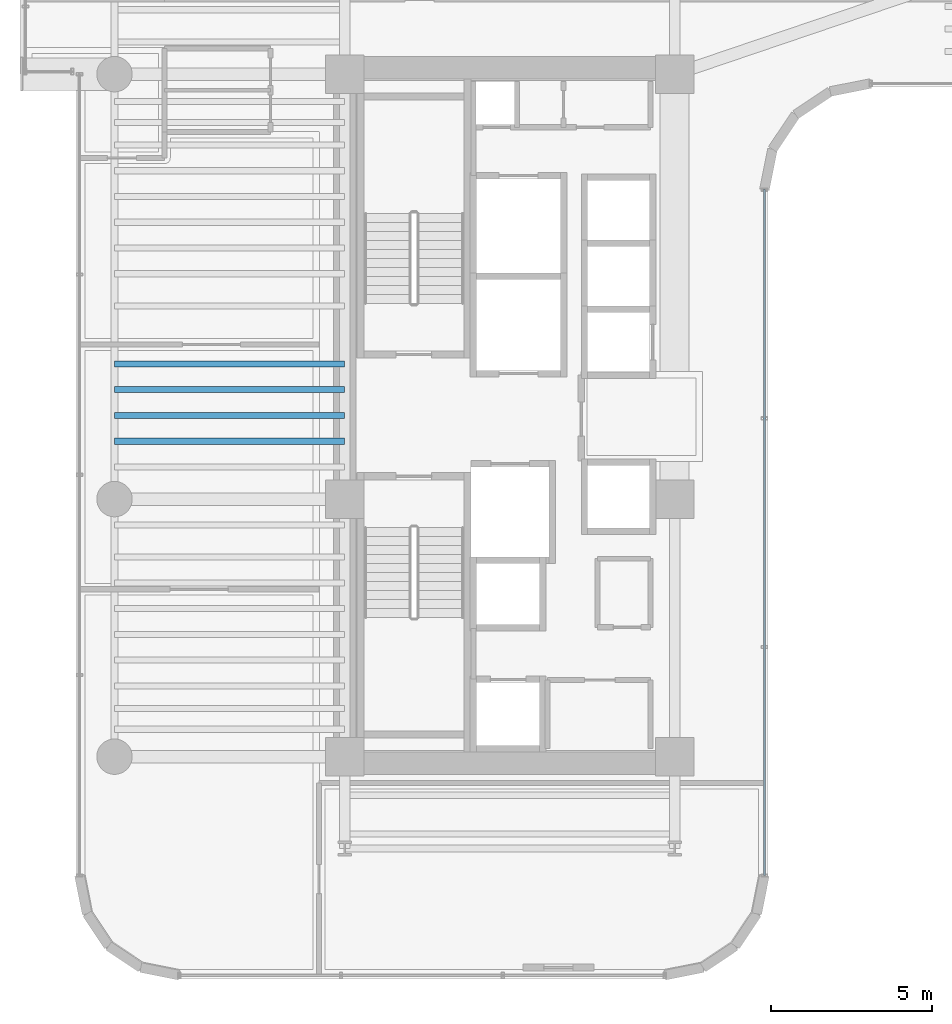
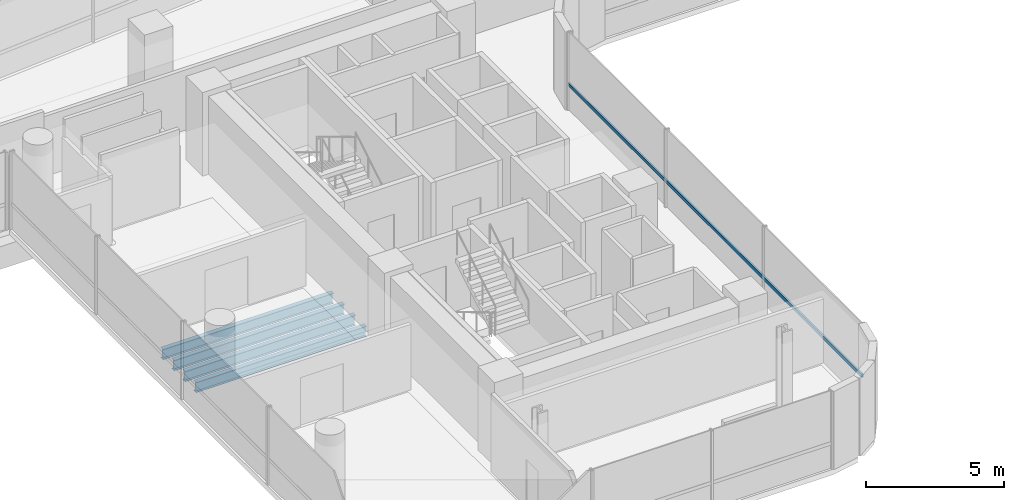
# One storey, part 7 of 34: 4 beams, 1 member, 1 element without a shape of its own.
"""IFC4 building model written with IfcOpenShell, lengths in metres."""

from ifc_helpers import new_model, si_unit, direction, frame, origin, origin_2d, place, context, subcontext, project, spatial, hollow_rectangle, i_section, extrude, source, transform, mapped, material, material_profile, profile_set, type_object, element, aggregate, save


model = new_model("IFC4")

# Units and contexts
model_context = context("Model", 3, precision=1e-05, world=origin(), true_north=direction((0.0, 1.0)))
body_context = subcontext(model_context, "Body", "Model", "MODEL_VIEW")
ifc_project = project(units=[si_unit("LENGTHUNIT", "METRE"), si_unit("AREAUNIT", "SQUARE_METRE"), si_unit("VOLUMEUNIT", "CUBIC_METRE"), si_unit("PLANEANGLEUNIT", "RADIAN"), si_unit("MASSUNIT", "GRAM", prefix="KILO")], contexts=[model_context])

# Site, building, storey
site_placement = place(None, origin())
site = spatial("IfcSite", under=ifc_project, at=site_placement, CompositionType="ELEMENT")
building_placement = place(site_placement, origin())
building = spatial("IfcBuilding", under=site, at=building_placement, Name="Valdorenza Pilgrim Sanctuary Tower", CompositionType="ELEMENT")
storey_placement = place(building_placement, frame((0.0, 0.0, 120.5)))
storey = spatial("IfcBuildingStorey", under=building, at=storey_placement, Name="L30", CompositionType="ELEMENT", Elevation=120.5)

# Beams
ifc_material_1 = material(Name="Steel ASTM A992 Grade 50", Category="steel")
ifc_material_profile_1 = material_profile(ifc_material_1, i_section(OverallWidth=0.19091796875, OverallDepth=0.45703125, WebThickness=0.009033203125, FlangeThickness=0.014404296875, at=origin_2d()), Name="W18X50")
ifc_profile_set_1 = profile_set([ifc_material_profile_1], Name="Steel ASTM A992 Grade 50")
beam_type = type_object("IfcBeamType", Name="STR-BM-JST-W18B", PredefinedType="JOIST", material=ifc_profile_set_1)
shared_shape_1 = source(origin(), body_context, "Body", "SweptSolid", [
    extrude(i_section(OverallWidth=0.19091796875, OverallDepth=0.45703125, WebThickness=0.009033203125, FlangeThickness=0.014404296875, at=origin_2d()), origin(), (0.0, 0.0, 1.0), 7.150146484375),
])
for number, where, z_axis, x_axis, name in (
    (1, (-29.800048828125, -0.800048828125, -0.468505859375), (1.0, 0.0, 0.0), (0.0, 1.0, 0.0), "L30 Composite Floor Joist JST-WA-11"),
    (2, (-29.800048828125, 0.0, -0.468505859375), (1.0, 0.0, 0.0), (0.0, 1.0, 0.0), "L30 Composite Floor Joist JST-WA-12"),
    (3, (-29.800048828125, 0.800048828125, -0.468505859375), (1.0, 0.0, 0.0), (0.0, 1.0, 0.0), "L30 Composite Floor Joist JST-WA-13"),
    (4, (-29.800048828125, 1.60009765625, -0.468505859375), (1.0, 0.0, 0.0), (0.0, 1.0, 0.0), "L30 Composite Floor Joist JST-WA-14"),
):
    element("IfcBeam", number, at=place(storey_placement, frame(where, z_axis=z_axis, x_axis=x_axis)), inside=storey, type_object=beam_type, Name=name, PredefinedType="JOIST", context=body_context, shape_type="MappedRepresentation", body=[
        mapped(shared_shape_1, transform((0.0, 0.0, 0.0), x_axis=(1.0, 0.0, 0.0), y_axis=(0.0, 1.0, 0.0), z_axis=(0.0, 0.0, 1.0), scale=1.0)),
    ])

# Curtain wall, member
ifc_material_2 = material(Name="Curtain-wall IGU glazing", Category="glass")
curtain_wall_type = type_object("IfcCurtainWallType", Name="CW-SYS-02", PredefinedType="NOTDEFINED", material=ifc_material_2)
curtain_wall_placement = place(storey_placement, origin())
curtain_wall = element("IfcCurtainWall", 5, at=curtain_wall_placement, inside=storey, type_object=curtain_wall_type, Name="L30 Curtain Wall CW-L30-1-41", PredefinedType="NOTDEFINED")
ifc_material_3 = material(Name="Anodised aluminium AW-6060", Category="aluminium")
ifc_material_profile_2 = material_profile(ifc_material_3, hollow_rectangle(XDim=0.074951171875, YDim=0.14990234375, WallThickness=0.00390625, at=origin_2d()), Name="ALU-T 150x75x4")
ifc_profile_set_2 = profile_set([ifc_material_profile_2], Name="Anodised aluminium AW-6060")
member_type = type_object("IfcMemberType", Name="CW-TRN-02", PredefinedType="USERDEFINED", material=ifc_profile_set_2)
shared_shape_2 = source(origin(), body_context, "Body", "SweptSolid", [
    extrude(hollow_rectangle(XDim=0.074951171875, YDim=0.14990234375, WallThickness=0.00390625, at=origin_2d()), origin(), (0.0, 0.0, 1.0), 21.300048828125),
])
member_placement = place(storey_placement, frame((-9.610107421875, 7.0107421875, 1.1201171875), z_axis=(0.0, -1.0, 0.0), x_axis=(1.0, 0.0, 0.0)))
member = element("IfcMember", 6, at=member_placement, type_object=member_type, Name="CW-L30-1-41 Transom 1", ObjectType="TRANSOM", PredefinedType="USERDEFINED", context=body_context, shape_type="MappedRepresentation", body=[
    mapped(shared_shape_2, transform((0.0, 0.0, 0.0), x_axis=(1.0, 0.0, 0.0), y_axis=(0.0, 1.0, 0.0), z_axis=(0.0, 0.0, 1.0), scale=1.0)),
])
aggregate(curtain_wall, [member])

save(model, "model.ifc")
